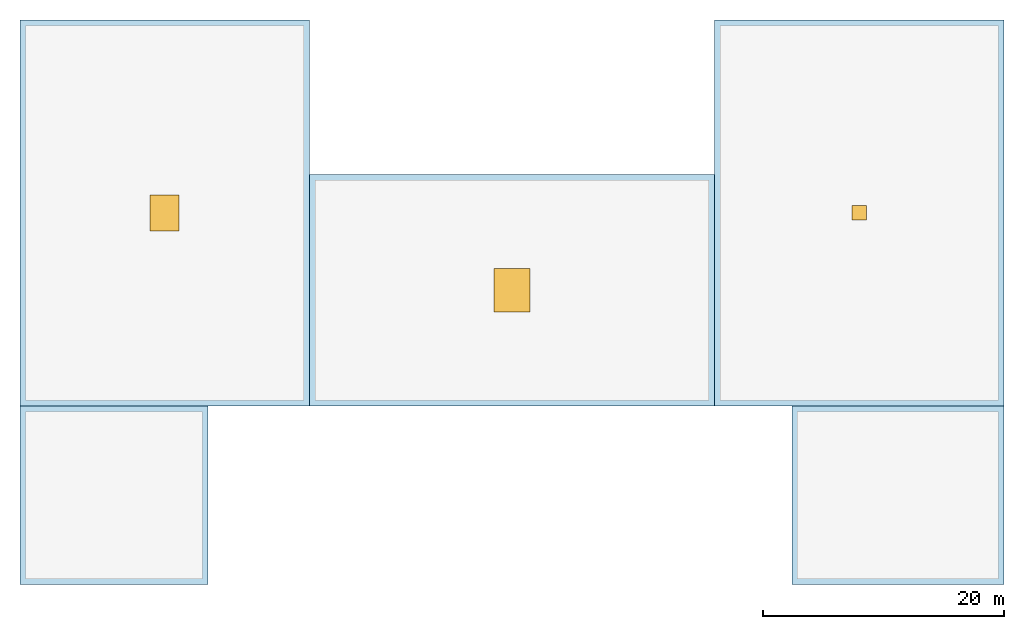
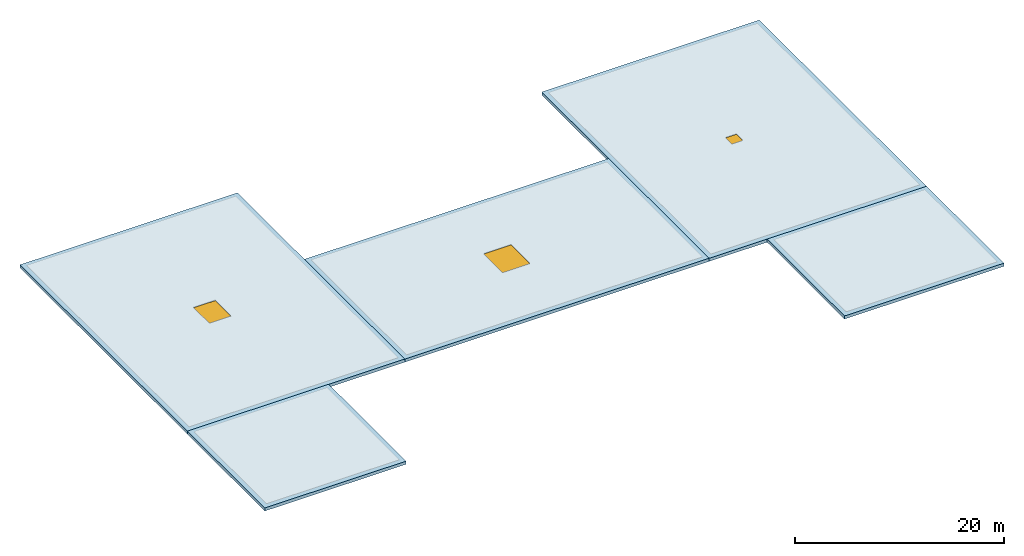
# One storey, part 1 of 2: 5 slabs, 3 windows, 3 openings.
"""IFC4 building model written with IfcOpenShell, lengths in metres."""

from ifc_helpers import new_model, si_unit, direction, frame, origin, origin_2d, place, context, subcontext, project, spatial, polyline, rectangle, outline, extrude, material, layer, layer_set, type_object, element, fill, save


model = new_model("IFC4")

# Units and contexts
model_context = context("Model", 3, precision=1e-05, world=origin(), true_north=direction((0.0, 1.0)))
body_context = subcontext(model_context, "Body", "Model", "MODEL_VIEW")
ifc_project = project(units=[si_unit("LENGTHUNIT", "METRE"), si_unit("AREAUNIT", "SQUARE_METRE"), si_unit("VOLUMEUNIT", "CUBIC_METRE"), si_unit("PLANEANGLEUNIT", "RADIAN"), si_unit("MASSUNIT", "GRAM", prefix="KILO")], contexts=[model_context])

# Site, building, storey
site_placement = place(None, origin())
site = spatial("IfcSite", under=ifc_project, at=site_placement, CompositionType="ELEMENT")
building_placement = place(site_placement, origin())
building = spatial("IfcBuilding", under=site, at=building_placement, Name="Korsvaeld Concert Hall", CompositionType="ELEMENT")
storey_placement = place(building_placement, frame((0.0, 0.0, 21.60009765625)))
storey = spatial("IfcBuildingStorey", under=building, at=storey_placement, Name="RF", CompositionType="ELEMENT", Elevation=21.60009765625)

# Slabs
ifc_material_1 = material(Name="Concrete C35/45", Category="concrete")
ifc_layer = layer(ifc_material_1, 0.360107421875)
ifc_layer_set = layer_set([ifc_layer], Name="Concrete C35/45")
slab_type = type_object("IfcSlabType", Name="SLB-TERR-360", PredefinedType="ROOF", material=ifc_layer_set)
slab_1_placement = place(storey_placement, frame((0.0, 0.0, -0.360107421875)))
element("IfcSlab", 1, at=slab_1_placement, inside=storey, type_object=slab_type, Name="Flat acoustic roof ROOF_TOP_K1", PredefinedType="ROOF", context=body_context, shape_type="SweptSolid", body=[
    extrude(outline(polyline([(43.199951171875, 68.39990234375), (43.199951171875, 83.199951171875), (58.800048828125, 83.199951171875), (58.800048828125, 68.39990234375), (43.199951171875, 68.39990234375)])), origin(), (0.0, 0.0, 1.0), 0.360107421875),
])
slab_2_placement = place(storey_placement, frame((0.0, 0.0, -0.360107421875)))
element("IfcSlab", 2, at=slab_2_placement, inside=storey, type_object=slab_type, Name="Flat acoustic roof ROOF_TOP_K2", PredefinedType="ROOF", context=body_context, shape_type="SweptSolid", body=[
    extrude(outline(polyline([(107.199951171875, 68.39990234375), (107.199951171875, 83.199951171875), (124.800048828125, 83.199951171875), (124.800048828125, 68.39990234375), (107.199951171875, 68.39990234375)])), origin(), (0.0, 0.0, 1.0), 0.360107421875),
])

# Slab, opening, window
slab_3_placement = place(storey_placement, frame((0.0, 0.0, -0.360107421875)))
slab_3 = element("IfcSlab", 3, at=slab_3_placement, inside=storey, type_object=slab_type, Name="Flat acoustic roof ROOF_TOP_V5W", PredefinedType="ROOF", context=body_context, shape_type="SweptSolid", body=[
    extrude(outline(polyline([(43.199951171875, 83.199951171875), (43.199951171875, 115.199951171875), (67.199951171875, 115.199951171875), (67.199951171875, 83.199951171875), (43.199951171875, 83.199951171875)])), origin(), (0.0, 0.0, 1.0), 0.360107421875),
])
opening_1_placement = place(slab_3_placement, frame((55.199951171875, 99.199951171875, -0.010009765625)))
opening_1 = element("IfcOpeningElement", 4, at=opening_1_placement, cuts=slab_3, Name="Opening SK-03", PredefinedType="OPENING", context=body_context, shape_type="SweptSolid", body=[
    extrude(rectangle(XDim=2.39990234375, YDim=3.0, at=origin_2d()), origin(), (0.0, 0.0, 1.0), 0.380126953125),
])
ifc_material_2 = material(Name="Anodised bronze frame with acoustic triple glazing", Category="glass")
window_type_1 = type_object("IfcWindowType", Name="SKY-LIGHT-240x300", PartitioningType="TRIPLE_PANEL_VERTICAL", PredefinedType="SKYLIGHT", material=ifc_material_2)
window_1_placement = place(slab_3_placement, frame((55.199951171875, 99.199951171875, 0.31005859375)))
window_1 = element("IfcWindow", 5, at=window_1_placement, inside=storey, type_object=window_type_1, Name="Acoustic skylight / roof hatch SLB-ROOF_TOP_V5W", OverallHeight=3.0, OverallWidth=2.39990234375, PartitioningType="SINGLE_PANEL", PredefinedType="SKYLIGHT", context=body_context, shape_type="SweptSolid", body=[
    extrude(rectangle(XDim=2.39990234375, YDim=3.0, at=origin_2d()), origin(), (0.0, 0.0, 1.0), 0.050048828125),
])
fill(opening_1, window_1)

slab_4_placement = place(storey_placement, frame((0.0, 0.0, -0.360107421875)))
slab_4 = element("IfcSlab", 6, at=slab_4_placement, inside=storey, type_object=slab_type, Name="Flat acoustic roof ROOF_TOP_V5C", PredefinedType="ROOF", context=body_context, shape_type="SweptSolid", body=[
    extrude(outline(polyline([(67.199951171875, 83.199951171875), (67.199951171875, 102.39990234375), (100.800048828125, 102.39990234375), (100.800048828125, 83.199951171875), (67.199951171875, 83.199951171875)])), origin(), (0.0, 0.0, 1.0), 0.360107421875),
])
opening_2_placement = place(slab_4_placement, frame((84.0, 92.800048828125, -0.010009765625)))
opening_2 = element("IfcOpeningElement", 7, at=opening_2_placement, cuts=slab_4, Name="Opening SK-04", PredefinedType="OPENING", context=body_context, shape_type="SweptSolid", body=[
    extrude(rectangle(XDim=3.0, YDim=3.60009765625, at=origin_2d()), origin(), (0.0, 0.0, 1.0), 0.380126953125),
])
window_type_2 = type_object("IfcWindowType", Name="SKY-LIGHT-300x360", PartitioningType="TRIPLE_PANEL_VERTICAL", PredefinedType="SKYLIGHT", material=ifc_material_2)
window_2_placement = place(slab_4_placement, frame((84.0, 92.800048828125, 0.31005859375)))
window_2 = element("IfcWindow", 8, at=window_2_placement, inside=storey, type_object=window_type_2, Name="Acoustic skylight / roof hatch SLB-ROOF_TOP_V5C", OverallHeight=3.60009765625, OverallWidth=3.0, PartitioningType="SINGLE_PANEL", PredefinedType="SKYLIGHT", context=body_context, shape_type="SweptSolid", body=[
    extrude(rectangle(XDim=3.0, YDim=3.60009765625, at=origin_2d()), origin(), (0.0, 0.0, 1.0), 0.050048828125),
])
fill(opening_2, window_2)

slab_5_placement = place(storey_placement, frame((0.0, 0.0, -0.360107421875)))
slab_5 = element("IfcSlab", 9, at=slab_5_placement, inside=storey, type_object=slab_type, Name="Flat acoustic roof ROOF_TOP_V5E", PredefinedType="ROOF", context=body_context, shape_type="SweptSolid", body=[
    extrude(outline(polyline([(100.800048828125, 83.199951171875), (100.800048828125, 115.199951171875), (124.800048828125, 115.199951171875), (124.800048828125, 83.199951171875), (100.800048828125, 83.199951171875)])), origin(), (0.0, 0.0, 1.0), 0.360107421875),
])
opening_3_placement = place(slab_5_placement, frame((112.800048828125, 99.199951171875, -0.010009765625)))
opening_3 = element("IfcOpeningElement", 10, at=opening_3_placement, cuts=slab_5, Name="Opening SK-01", PredefinedType="OPENING", context=body_context, shape_type="SweptSolid", body=[
    extrude(rectangle(XDim=1.199951171875, YDim=1.199951171875, at=origin_2d()), origin(), (0.0, 0.0, 1.0), 0.380126953125),
])
window_type_3 = type_object("IfcWindowType", Name="SKY-HATCH-120x120", PartitioningType="SINGLE_PANEL", PredefinedType="SKYLIGHT", material=ifc_material_2)
window_3_placement = place(slab_5_placement, frame((112.800048828125, 99.199951171875, 0.31005859375)))
window_3 = element("IfcWindow", 11, at=window_3_placement, inside=storey, type_object=window_type_3, Name="Acoustic skylight / roof hatch SLB-ROOF_TOP_V5E", OverallHeight=1.199951171875, OverallWidth=1.199951171875, PartitioningType="SINGLE_PANEL", PredefinedType="SKYLIGHT", context=body_context, shape_type="SweptSolid", body=[
    extrude(rectangle(XDim=1.199951171875, YDim=1.199951171875, at=origin_2d()), origin(), (0.0, 0.0, 1.0), 0.050048828125),
])
fill(opening_3, window_3)

save(model, "model.ifc")
